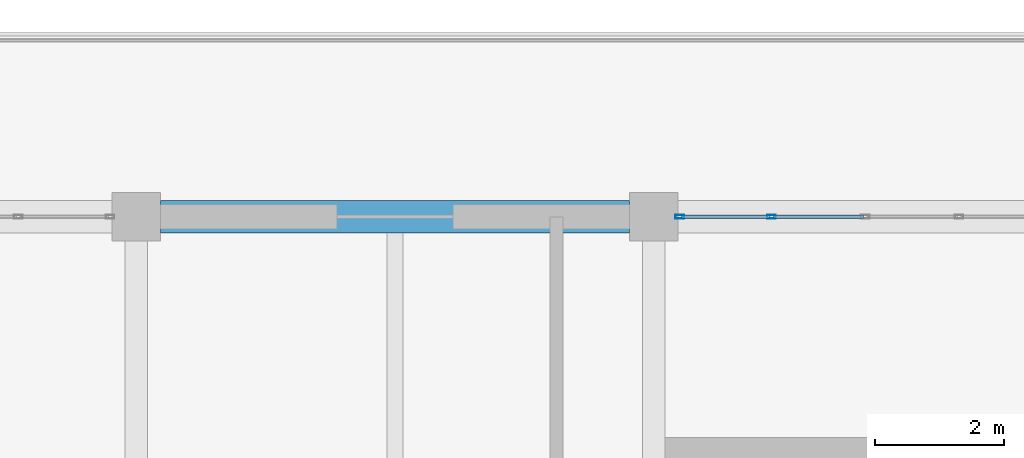
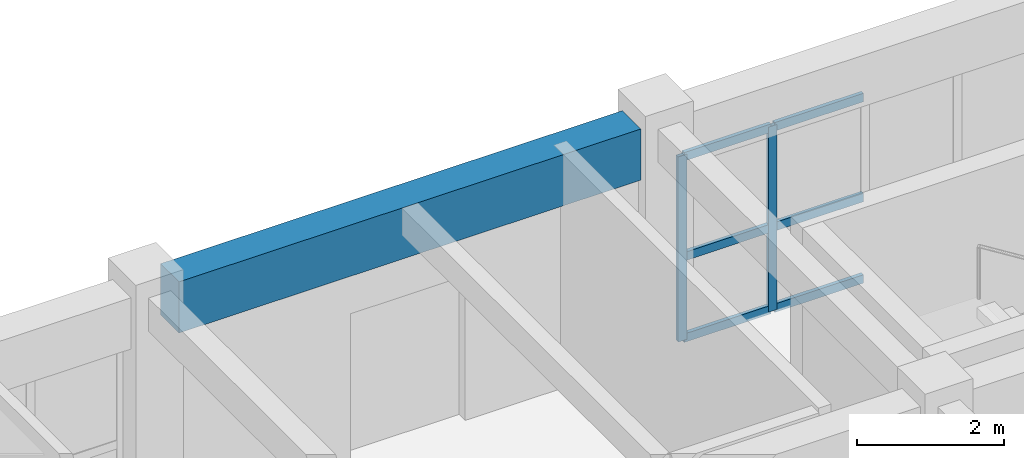
# One storey, part 28 of 63: 8 members, 1 beam, 1 element without a shape of its own.
"""IFC4 building model written with IfcOpenShell, lengths in metres."""

from ifc_helpers import new_model, si_unit, direction, frame, origin, origin_2d, place, context, subcontext, project, spatial, rectangle, hollow_rectangle, extrude, material, material_profile, profile_set, type_object, element, aggregate, save


model = new_model("IFC4")

# Units and contexts
model_context = context("Model", 3, precision=1e-05, world=origin(), true_north=direction((0.0, 1.0)))
body_context = subcontext(model_context, "Body", "Model", "MODEL_VIEW")
ifc_project = project(units=[si_unit("LENGTHUNIT", "METRE"), si_unit("AREAUNIT", "SQUARE_METRE"), si_unit("VOLUMEUNIT", "CUBIC_METRE"), si_unit("PLANEANGLEUNIT", "RADIAN"), si_unit("MASSUNIT", "GRAM", prefix="KILO")], contexts=[model_context])

# Site, building, storey
site_placement = place(None, origin())
site = spatial("IfcSite", under=ifc_project, at=site_placement, CompositionType="ELEMENT")
building_placement = place(site_placement, origin())
building = spatial("IfcBuilding", under=site, at=building_placement, Name="Zantavel Square City Hall", CompositionType="ELEMENT")
storey_placement = place(building_placement, frame((0.0, 0.0, 14.699951171875)))
storey = spatial("IfcBuildingStorey", under=building, at=storey_placement, Name="L04", CompositionType="ELEMENT", Elevation=14.699951171875)

# Curtain wall, members
ifc_material_1 = material(Name="Anodised aluminium 6063-T6", Category="aluminium")
curtain_wall_type = type_object("IfcCurtainWallType", Name="Curtain Wall TRV1 7250x3070", PredefinedType="USERDEFINED", material=ifc_material_1)
curtain_wall_placement = place(storey_placement, origin())
curtain_wall = element("IfcCurtainWall", 1, at=curtain_wall_placement, inside=storey, type_object=curtain_wall_type, Name="L04 Glazed Curtain Wall CW-L04-110", ObjectType="GLAZED CURTAIN WALL", PredefinedType="USERDEFINED")
ifc_material_profile_1 = material_profile(ifc_material_1, hollow_rectangle(XDim=0.06005859375, YDim=0.135009765625, WallThickness=0.00390625, at=origin_2d()), Name="ALU 60x135x4")
ifc_profile_set_1 = profile_set([ifc_material_profile_1], Name="Anodised aluminium 6063-T6")
member_type_1 = type_object("IfcMemberType", Name="CW Mullion ALU 60x135x4", PredefinedType="MULLION", material=ifc_profile_set_1)
member_1_placement = place(storey_placement, frame((96.405029296875, 68.39990234375, 0.0), z_axis=(0.0, 0.0, 1.0), x_axis=(0.0, 1.0, 0.0)))
member_1 = element("IfcMember", 2, at=member_1_placement, type_object=member_type_1, Name="CW-110 mullion 1", PredefinedType="MULLION", context=body_context, shape_type="SweptSolid", body=[
    extrude(hollow_rectangle(XDim=0.06005859375, YDim=0.135009765625, WallThickness=0.00390625, at=origin_2d()), origin(), (0.0, 0.0, 1.0), 3.070068359375),
])
member_2_placement = place(storey_placement, frame((97.824951171875, 68.39990234375, 0.0), z_axis=(0.0, 0.0, 1.0), x_axis=(0.0, 1.0, 0.0)))
member_2 = element("IfcMember", 3, at=member_2_placement, type_object=member_type_1, Name="CW-110 mullion 2", PredefinedType="MULLION", context=body_context, shape_type="SweptSolid", body=[
    extrude(hollow_rectangle(XDim=0.06005859375, YDim=0.135009765625, WallThickness=0.00390625, at=origin_2d()), origin(), (0.0, 0.0, 1.0), 3.070068359375),
])
ifc_material_profile_2 = material_profile(ifc_material_1, hollow_rectangle(XDim=0.06005859375, YDim=0.139892578125, WallThickness=0.00390625, at=origin_2d()), Name="ALU 60x140x4")
ifc_profile_set_2 = profile_set([ifc_material_profile_2], Name="Anodised aluminium 6063-T6")
member_type_2 = type_object("IfcMemberType", Name="CW Transom ALU 60x140x4", PredefinedType="USERDEFINED", material=ifc_profile_set_2)
member_3_placement = place(storey_placement, frame((96.43505859375, 68.39990234375, 0.030029296875), z_axis=(1.0, 0.0, 0.0), x_axis=(0.0, 1.0, 0.0)))
member_3 = element("IfcMember", 4, at=member_3_placement, type_object=member_type_2, Name="CW-110 transom 1.1", ObjectType="TRANSOM", PredefinedType="USERDEFINED", context=body_context, shape_type="SweptSolid", body=[
    extrude(hollow_rectangle(XDim=0.06005859375, YDim=0.139892578125, WallThickness=0.00390625, at=origin_2d()), origin(), (0.0, 0.0, 1.0), 1.35986328125),
])
member_4_placement = place(storey_placement, frame((96.43505859375, 68.39990234375, 1.381103515625), z_axis=(1.0, 0.0, 0.0), x_axis=(0.0, 1.0, 0.0)))
member_4 = element("IfcMember", 5, at=member_4_placement, type_object=member_type_2, Name="CW-110 transom 1.2", ObjectType="TRANSOM", PredefinedType="USERDEFINED", context=body_context, shape_type="SweptSolid", body=[
    extrude(hollow_rectangle(XDim=0.06005859375, YDim=0.139892578125, WallThickness=0.00390625, at=origin_2d()), origin(), (0.0, 0.0, 1.0), 1.35986328125),
])
member_5_placement = place(storey_placement, frame((96.43505859375, 68.39990234375, 3.0400390625), z_axis=(1.0, 0.0, 0.0), x_axis=(0.0, 1.0, 0.0)))
member_5 = element("IfcMember", 6, at=member_5_placement, type_object=member_type_2, Name="CW-110 transom 1.3", ObjectType="TRANSOM", PredefinedType="USERDEFINED", context=body_context, shape_type="SweptSolid", body=[
    extrude(hollow_rectangle(XDim=0.06005859375, YDim=0.139892578125, WallThickness=0.00390625, at=origin_2d()), origin(), (0.0, 0.0, 1.0), 1.35986328125),
])
member_6_placement = place(storey_placement, frame((97.85498046875, 68.39990234375, 0.030029296875), z_axis=(1.0, 0.0, 0.0), x_axis=(0.0, 1.0, 0.0)))
member_6 = element("IfcMember", 7, at=member_6_placement, type_object=member_type_2, Name="CW-110 transom 2.1", ObjectType="TRANSOM", PredefinedType="USERDEFINED", context=body_context, shape_type="SweptSolid", body=[
    extrude(hollow_rectangle(XDim=0.06005859375, YDim=0.139892578125, WallThickness=0.00390625, at=origin_2d()), origin(), (0.0, 0.0, 1.0), 1.39013671875),
])
member_7_placement = place(storey_placement, frame((97.85498046875, 68.39990234375, 1.381103515625), z_axis=(1.0, 0.0, 0.0), x_axis=(0.0, 1.0, 0.0)))
member_7 = element("IfcMember", 8, at=member_7_placement, type_object=member_type_2, Name="CW-110 transom 2.2", ObjectType="TRANSOM", PredefinedType="USERDEFINED", context=body_context, shape_type="SweptSolid", body=[
    extrude(hollow_rectangle(XDim=0.06005859375, YDim=0.139892578125, WallThickness=0.00390625, at=origin_2d()), origin(), (0.0, 0.0, 1.0), 1.39013671875),
])
member_8_placement = place(storey_placement, frame((97.85498046875, 68.39990234375, 3.0400390625), z_axis=(1.0, 0.0, 0.0), x_axis=(0.0, 1.0, 0.0)))
member_8 = element("IfcMember", 9, at=member_8_placement, type_object=member_type_2, Name="CW-110 transom 2.3", ObjectType="TRANSOM", PredefinedType="USERDEFINED", context=body_context, shape_type="SweptSolid", body=[
    extrude(hollow_rectangle(XDim=0.06005859375, YDim=0.139892578125, WallThickness=0.00390625, at=origin_2d()), origin(), (0.0, 0.0, 1.0), 1.39013671875),
])
aggregate(curtain_wall, [member_1, member_2, member_3, member_4, member_5, member_6, member_7, member_8])

# Beam
ifc_material_2 = material(Name="Concrete C40/50", Category="concrete")
ifc_material_profile_3 = material_profile(ifc_material_2, rectangle(XDim=0.5, YDim=0.85009765625, at=origin_2d()), Name="RC 500x850")
ifc_profile_set_3 = profile_set([ifc_material_profile_3], Name="Concrete C40/50")
beam_type = type_object("IfcBeamType", Name="Council Chamber Girder RC 500x850 C40/50", PredefinedType="BEAM", material=ifc_profile_set_3)
beam_placement = place(storey_placement, frame((88.375, 68.39990234375, 3.4951171875), z_axis=(1.0, 0.0, 0.0), x_axis=(0.0, 1.0, 0.0)))
element("IfcBeam", 10, at=beam_placement, inside=storey, type_object=beam_type, Name="L04 Girder BMX-L04-0880-0684", PredefinedType="BEAM", context=body_context, shape_type="SweptSolid", body=[
    extrude(rectangle(XDim=0.5, YDim=0.85009765625, at=origin_2d()), origin(), (0.0, 0.0, 1.0), 7.25),
])

save(model, "model.ifc")
